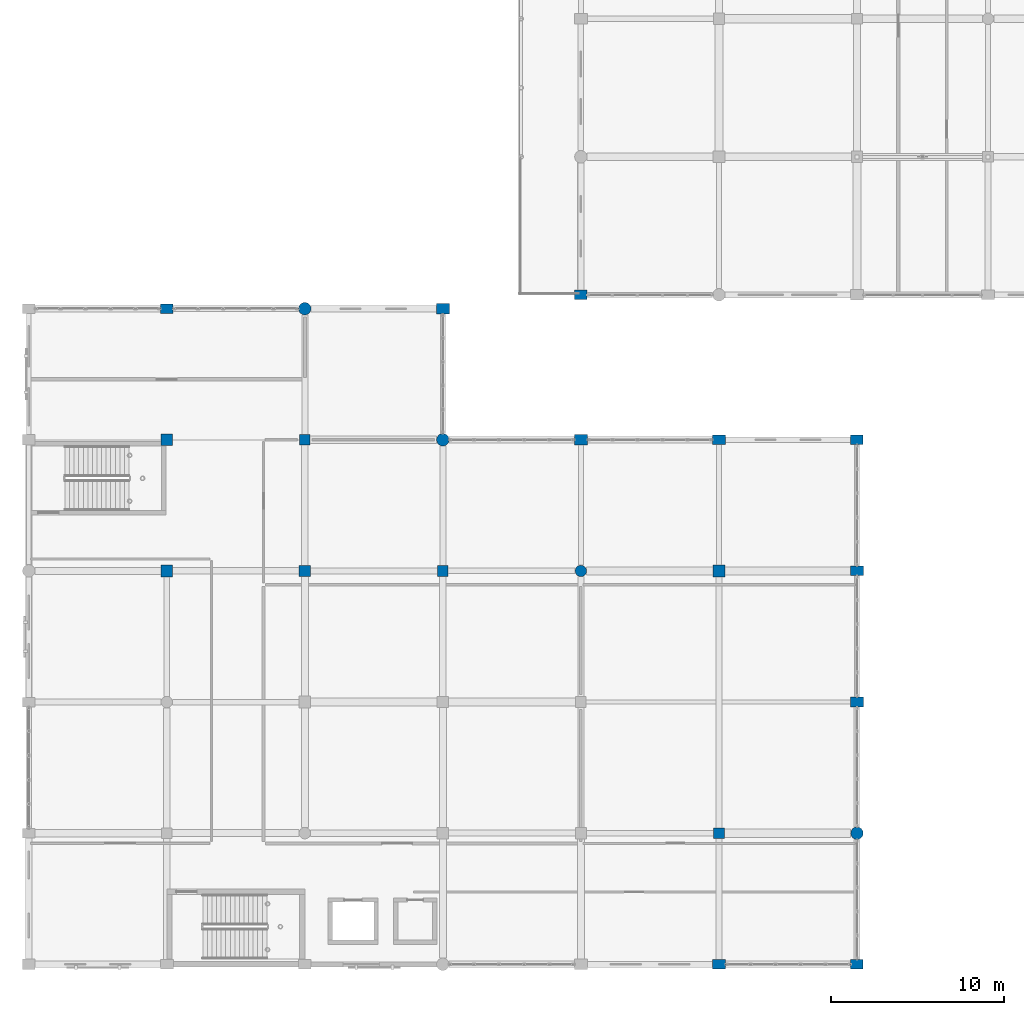
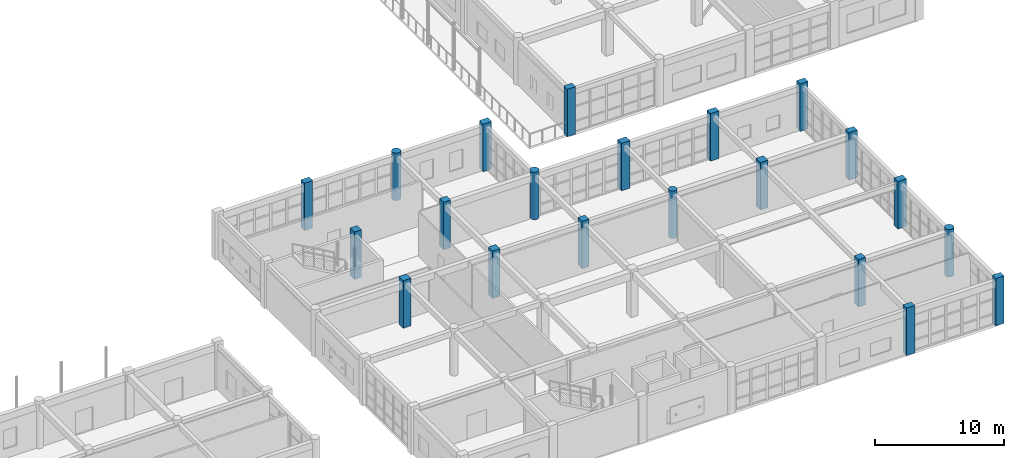
# One storey, part 28 of 160: 21 columns.
"""IFC4 building model written with IfcOpenShell, lengths in metres."""

from ifc_helpers import new_model, si_unit, direction, frame, origin, origin_2d, place, context, subcontext, project, spatial, rectangle, circle, extrude, material, material_profile, profile_set, type_object, element, save


model = new_model("IFC4")

# Units and contexts
model_context = context("Model", 3, precision=1e-05, world=origin(), true_north=direction((0.0, 1.0)))
body_context = subcontext(model_context, "Body", "Model", "MODEL_VIEW")
ifc_project = project(units=[si_unit("LENGTHUNIT", "METRE"), si_unit("AREAUNIT", "SQUARE_METRE"), si_unit("VOLUMEUNIT", "CUBIC_METRE"), si_unit("PLANEANGLEUNIT", "RADIAN"), si_unit("MASSUNIT", "GRAM", prefix="KILO")], contexts=[model_context])

# Site, building, storey
site_placement = place(None, origin())
site = spatial("IfcSite", under=ifc_project, at=site_placement, CompositionType="ELEMENT")
building_placement = place(site_placement, origin())
building = spatial("IfcBuilding", under=site, at=building_placement, Name="Kharva Crest Polytechnic", CompositionType="ELEMENT")
storey_placement = place(building_placement, frame((0.0, 0.0, 4.5)))
storey = spatial("IfcBuildingStorey", under=building, at=storey_placement, Name="L01", CompositionType="ELEMENT", Elevation=4.5)

# Columns
ifc_material = material(Name="Concrete C40/50", Category="concrete")
ifc_material_profile_1 = material_profile(ifc_material, rectangle(XDim=0.719970703125, YDim=0.550048828125, at=origin_2d()), Name="RECT 720 X 550")
ifc_profile_set_1 = profile_set([ifc_material_profile_1], Name="Concrete C40/50")
column_type_1 = type_object("IfcColumnType", Name="COL-EXT-720X550", PredefinedType="COLUMN", material=ifc_profile_set_1)
for number, where, z_axis, x_axis, name in (
    (1, (128.800048828125, 38.0, 0.0), (0.0, 0.0, 1.0), (1.0, 0.0, 0.0), "L01 Column 17/F"),
    (2, (152.800048828125, 38.800048828125, 0.0), (0.0, 0.0, 1.0), (1.0, 0.0, 0.0), "L01 Column 20/FJ"),
    (3, (168.800048828125, 0.0, 0.0), (0.0, 0.0, 1.0), (1.0, 0.0, 0.0), "L01 Column 22/A"),
    (4, (168.800048828125, 30.39990234375, 0.0), (0.0, 0.0, 1.0), (1.0, 0.0, 0.0), "L01 Column 22/E"),
):
    element("IfcColumn", number, at=place(storey_placement, frame(where, z_axis=z_axis, x_axis=x_axis)), inside=storey, type_object=column_type_1, Name=name, PredefinedType="COLUMN", context=body_context, shape_type="SweptSolid", body=[
        extrude(rectangle(XDim=0.719970703125, YDim=0.550048828125, at=origin_2d()), origin(), (0.0, 0.0, 1.0), 4.5),
    ])
ifc_material_profile_2 = material_profile(ifc_material, rectangle(XDim=0.75, YDim=0.550048828125, at=origin_2d()), Name="RECT 750 X 550")
ifc_profile_set_2 = profile_set([ifc_material_profile_2], Name="Concrete C40/50")
column_type_2 = type_object("IfcColumnType", Name="COL-EXT-750X550", PredefinedType="COLUMN", material=ifc_profile_set_2)
for number, where, z_axis, x_axis, name in (
    (5, (160.800048828125, 0.0, 0.0), (0.0, 0.0, 1.0), (1.0, 0.0, 0.0), "L01 Column 21/A"),
    (6, (160.800048828125, 30.39990234375, 0.0), (0.0, 0.0, 1.0), (1.0, 0.0, 0.0), "L01 Column 21/E"),
    (7, (168.800048828125, 22.800048828125, 0.0), (0.0, 0.0, 1.0), (1.0, 0.0, 0.0), "L01 Column 22/D"),
):
    element("IfcColumn", number, at=place(storey_placement, frame(where, z_axis=z_axis, x_axis=x_axis)), inside=storey, type_object=column_type_2, Name=name, PredefinedType="COLUMN", context=body_context, shape_type="SweptSolid", body=[
        extrude(rectangle(XDim=0.75, YDim=0.550048828125, at=origin_2d()), origin(), (0.0, 0.0, 1.0), 4.5),
    ])
ifc_material_profile_3 = material_profile(ifc_material, rectangle(XDim=0.75, YDim=0.60009765625, at=origin_2d()), Name="RECT 750 X 600")
ifc_profile_set_3 = profile_set([ifc_material_profile_3], Name="Concrete C40/50")
column_type_3 = type_object("IfcColumnType", Name="COL-EXT-750X600", PredefinedType="COLUMN", material=ifc_profile_set_3)
for number, where, z_axis, x_axis, name in (
    (8, (144.800048828125, 38.0, 0.0), (0.0, 0.0, 1.0), (1.0, 0.0, 0.0), "L01 Column 19/F"),
    (9, (152.800048828125, 30.39990234375, 0.0), (0.0, 0.0, 1.0), (1.0, 0.0, 0.0), "L01 Column 20/E"),
    (10, (168.800048828125, 15.199951171875, 0.0), (0.0, 0.0, 1.0), (1.0, 0.0, 0.0), "L01 Column 22/C"),
):
    element("IfcColumn", number, at=place(storey_placement, frame(where, z_axis=z_axis, x_axis=x_axis)), inside=storey, type_object=column_type_3, Name=name, PredefinedType="COLUMN", context=body_context, shape_type="SweptSolid", body=[
        extrude(rectangle(XDim=0.75, YDim=0.60009765625, at=origin_2d()), origin(), (0.0, 0.0, 1.0), 4.5),
    ])
ifc_material_profile_4 = material_profile(ifc_material, circle(Radius=0.360107421875, at=origin_2d()), Name="DIA 720")
ifc_profile_set_4 = profile_set([ifc_material_profile_4], Name="Concrete C40/50")
column_type_4 = type_object("IfcColumnType", Name="COL-EXT-DIA720", PredefinedType="COLUMN", material=ifc_profile_set_4)
for number, where, z_axis, x_axis, name in (
    (11, (136.800048828125, 38.0, 0.0), (0.0, 0.0, 1.0), (1.0, 0.0, 0.0), "L01 Column 18/F"),
    (12, (144.800048828125, 30.39990234375, 0.0), (0.0, 0.0, 1.0), (1.0, 0.0, 0.0), "L01 Column 19/E"),
    (13, (168.800048828125, 7.60009765625, 0.0), (0.0, 0.0, 1.0), (1.0, 0.0, 0.0), "L01 Column 22/B"),
):
    element("IfcColumn", number, at=place(storey_placement, frame(where, z_axis=z_axis, x_axis=x_axis)), inside=storey, type_object=column_type_4, Name=name, PredefinedType="COLUMN", context=body_context, shape_type="SweptSolid", body=[
        extrude(circle(Radius=0.360107421875, at=origin_2d()), origin(), (0.0, 0.0, 1.0), 4.5),
    ])
ifc_material_profile_5 = material_profile(ifc_material, rectangle(XDim=0.6201171875, YDim=0.6201171875, at=origin_2d()), Name="RECT 620 X 620")
ifc_profile_set_5 = profile_set([ifc_material_profile_5], Name="Concrete C40/50")
column_type_5 = type_object("IfcColumnType", Name="COL-INT-620X620", PredefinedType="COLUMN", material=ifc_profile_set_5)
for number, where, z_axis, x_axis, name in (
    (14, (136.800048828125, 30.39990234375, 0.0), (0.0, 0.0, 1.0), (1.0, 0.0, 0.0), "L01 Column 18/E"),
    (15, (144.800048828125, 22.800048828125, 0.0), (0.0, 0.0, 1.0), (1.0, 0.0, 0.0), "L01 Column 19/D"),
    (16, (160.800048828125, 7.60009765625, 0.0), (0.0, 0.0, 1.0), (1.0, 0.0, 0.0), "L01 Column 21/B"),
):
    element("IfcColumn", number, at=place(storey_placement, frame(where, z_axis=z_axis, x_axis=x_axis)), inside=storey, type_object=column_type_5, Name=name, PredefinedType="COLUMN", context=body_context, shape_type="SweptSolid", body=[
        extrude(rectangle(XDim=0.6201171875, YDim=0.6201171875, at=origin_2d()), origin(), (0.0, 0.0, 1.0), 4.5),
    ])
ifc_material_profile_6 = material_profile(ifc_material, rectangle(XDim=0.64990234375, YDim=0.64990234375, at=origin_2d()), Name="RECT 650 X 650")
ifc_profile_set_6 = profile_set([ifc_material_profile_6], Name="Concrete C40/50")
column_type_6 = type_object("IfcColumnType", Name="COL-INT-650X650", PredefinedType="COLUMN", material=ifc_profile_set_6)
for number, where, z_axis, x_axis, name in (
    (17, (128.800048828125, 30.39990234375, 0.0), (0.0, 0.0, 1.0), (1.0, 0.0, 0.0), "L01 Column 17/E"),
    (18, (136.800048828125, 22.800048828125, 0.0), (0.0, 0.0, 1.0), (1.0, 0.0, 0.0), "L01 Column 18/D"),
):
    element("IfcColumn", number, at=place(storey_placement, frame(where, z_axis=z_axis, x_axis=x_axis)), inside=storey, type_object=column_type_6, Name=name, PredefinedType="COLUMN", context=body_context, shape_type="SweptSolid", body=[
        extrude(rectangle(XDim=0.64990234375, YDim=0.64990234375, at=origin_2d()), origin(), (0.0, 0.0, 1.0), 4.5),
    ])
ifc_material_profile_7 = material_profile(ifc_material, rectangle(XDim=0.679931640625, YDim=0.679931640625, at=origin_2d()), Name="RECT 680 X 680")
ifc_profile_set_7 = profile_set([ifc_material_profile_7], Name="Concrete C40/50")
column_type_7 = type_object("IfcColumnType", Name="COL-INT-680X680", PredefinedType="COLUMN", material=ifc_profile_set_7)
for number, where, z_axis, x_axis, name in (
    (19, (128.800048828125, 22.800048828125, 0.0), (0.0, 0.0, 1.0), (1.0, 0.0, 0.0), "L01 Column 17/D"),
    (20, (160.800048828125, 22.800048828125, 0.0), (0.0, 0.0, 1.0), (1.0, 0.0, 0.0), "L01 Column 21/D"),
):
    element("IfcColumn", number, at=place(storey_placement, frame(where, z_axis=z_axis, x_axis=x_axis)), inside=storey, type_object=column_type_7, Name=name, PredefinedType="COLUMN", context=body_context, shape_type="SweptSolid", body=[
        extrude(rectangle(XDim=0.679931640625, YDim=0.679931640625, at=origin_2d()), origin(), (0.0, 0.0, 1.0), 4.5),
    ])
ifc_material_profile_8 = material_profile(ifc_material, circle(Radius=0.330078125, at=origin_2d()), Name="DIA 660")
ifc_profile_set_8 = profile_set([ifc_material_profile_8], Name="Concrete C40/50")
column_type_8 = type_object("IfcColumnType", Name="COL-INT-DIA660", PredefinedType="COLUMN", material=ifc_profile_set_8)
column_placement = place(storey_placement, frame((152.800048828125, 22.800048828125, 0.0), z_axis=(0.0, 0.0, 1.0), x_axis=(1.0, 0.0, 0.0)))
element("IfcColumn", 21, at=column_placement, inside=storey, type_object=column_type_8, Name="L01 Column 20/D", PredefinedType="COLUMN", context=body_context, shape_type="SweptSolid", body=[
    extrude(circle(Radius=0.330078125, at=origin_2d()), origin(), (0.0, 0.0, 1.0), 4.5),
])

save(model, "model.ifc")
